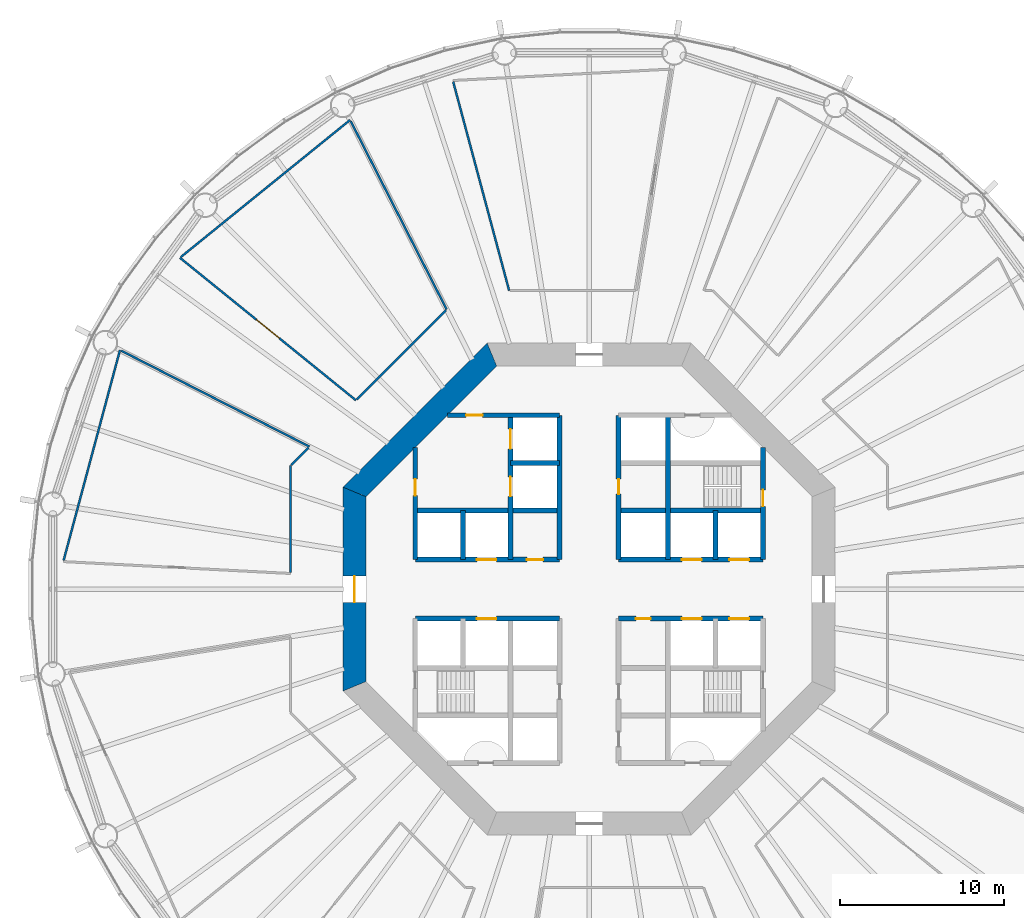
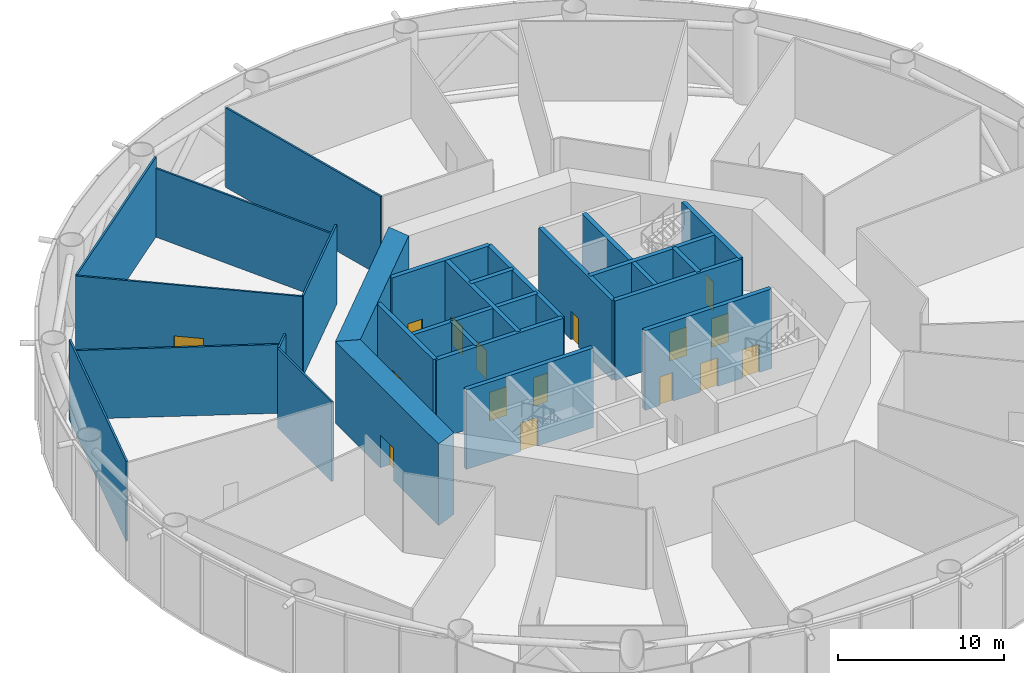
# One storey, part 5 of 14: 27 walls, 16 doors, 16 openings.
"""IFC4 building model written with IfcOpenShell, lengths in metres."""

import ifcopenshell
import ifcopenshell.guid

model = None  # the IFC model being written
_history = None  # IfcOwnerHistory: only IFC2X3 demands one
_inside = {}  # id of a spatial element -> (the spatial element, [elements in it])
_under = {}  # id of a project, library or spatial element -> (it, [spatial elements below it])
_declared = {}  # id of a project -> (the project, [libraries it declares])
_typed = {}  # id of a type object -> (the type object, [elements of that type])
_made_of = {}  # id of a material, layer set ... -> (it, [elements and type objects made of it])


def new_model(schema):
    """Start an empty IFC model of exactly this schema.

    Asked for "IFC4X3", IfcOpenShell would pick the latest addendum, in which some entities
    have other attributes; the version numbers below select the first issue.
    IFC2X3 requires an IfcOwnerHistory on every rooted entity: one is made here for all.
    """
    global model, _history
    if schema == "IFC4X3":
        model = ifcopenshell.file(schema_version=(4, 3, 0, 0))
    else:
        model = ifcopenshell.file(schema=schema)
    _inside.clear()
    _under.clear()
    _declared.clear()
    _typed.clear()
    _made_of.clear()
    _history = None
    if model.schema == "IFC2X3":
        org = make("IfcOrganization", Name="unknown")
        user = make(
            "IfcPersonAndOrganization",
            ThePerson=make("IfcPerson", FamilyName="unknown"),
            TheOrganization=org,
        )
        app = make(
            "IfcApplication",
            ApplicationDeveloper=org,
            Version="unknown",
            ApplicationFullName="unknown",
            ApplicationIdentifier="unknown",
        )
        _history = make(
            "IfcOwnerHistory",
            OwningUser=user,
            OwningApplication=app,
            ChangeAction="ADDED",
            CreationDate=0,
        )
    return model


def make(cls, **values):
    """One entity of the class cls with the attributes given. An attribute that is None is left unset."""
    return model.create_entity(
        cls, **{name: value for name, value in values.items() if value is not None}
    )


def rooted(cls, **values):
    """An entity with a GlobalId (a new one), such as an element, a storey or a relation."""
    return make(cls, GlobalId=ifcopenshell.guid.new(), OwnerHistory=_history, **values)


def si_unit(unit_type, name, prefix=None):
    """IfcSIUnit, for example si_unit("LENGTHUNIT", "METRE", prefix="MILLI")."""
    return make("IfcSIUnit", UnitType=unit_type, Prefix=prefix, Name=name)


def assignment(units):
    """IfcUnitAssignment: the units of a project."""
    return None if units is None else make("IfcUnitAssignment", Units=units)


def point(xyz):
    """IfcCartesianPoint."""
    return None if xyz is None else make("IfcCartesianPoint", Coordinates=xyz)


def direction(xyz):
    """IfcDirection."""
    return None if xyz is None else make("IfcDirection", DirectionRatios=xyz)


def frame(location, z_axis=None, x_axis=None):
    """IfcAxis2Placement3D, a coordinate frame: its origin and axes. An axis left out is left unset."""
    return make(
        "IfcAxis2Placement3D",
        Location=point(location),
        Axis=direction(z_axis),
        RefDirection=direction(x_axis),
    )


def frame_2d(location, x_axis=None):
    """IfcAxis2Placement2D, a coordinate frame in the plane: its origin and x axis."""
    return make(
        "IfcAxis2Placement2D", Location=point(location), RefDirection=direction(x_axis)
    )


def origin():
    """The frame at (0, 0, 0) with its axes left unset."""
    return frame((0.0, 0.0, 0.0))


def place(relative_to, where):
    """IfcLocalPlacement: puts the frame where relative to a parent placement (None: the world)."""
    return make(
        "IfcLocalPlacement", PlacementRelTo=relative_to, RelativePlacement=where
    )


def context(
    kind, dimensions, precision=None, world=None, true_north=None, identifier=None
):
    """IfcGeometricRepresentationContext, for example the 3D "Model" context."""
    return make(
        "IfcGeometricRepresentationContext",
        ContextIdentifier=identifier,
        ContextType=kind,
        CoordinateSpaceDimension=dimensions,
        Precision=precision,
        WorldCoordinateSystem=world,
        TrueNorth=true_north,
    )


def subcontext(parent, identifier, kind, view, scale=None):
    """IfcGeometricRepresentationSubContext, for example "Body" below "Model"."""
    return make(
        "IfcGeometricRepresentationSubContext",
        ContextIdentifier=identifier,
        ContextType=kind,
        ParentContext=parent,
        TargetScale=scale,
        TargetView=view,
    )


def project(units=None, contexts=None):
    """IfcProject with its units and contexts."""
    return rooted(
        "IfcProject",
        Name="project",
        RepresentationContexts=contexts,
        UnitsInContext=assignment(units),
    )


def spatial(cls, under=None, at=None, **own):
    """A site, building, storey or space (cls), placed at a placement, below another one or the project."""
    s = rooted(cls, ObjectPlacement=at, **own)
    if under is not None:
        _under.setdefault(under.id(), (under, []))[1].append(s)
    return s


def polyline(points):
    """IfcPolyline through the points."""
    return make("IfcPolyline", Points=[point(p) for p in points])


def profile(cls, at=None, kind="AREA", **sizes):
    """A parametric profile (cls). Its sizes go by their IFC names, for example OverallWidth=200.0."""
    return make(cls, ProfileType=kind, Position=at, **sizes)


def rectangle(**sizes):
    """IfcRectangleProfileDef."""
    return profile("IfcRectangleProfileDef", **sizes)


def outline(outer, holes=None, kind="AREA"):
    """IfcArbitraryClosedProfileDef: a profile drawn as a closed curve; with holes, ...WithVoids."""
    if holes is None:
        return make("IfcArbitraryClosedProfileDef", ProfileType=kind, OuterCurve=outer)
    return make(
        "IfcArbitraryProfileDefWithVoids",
        ProfileType=kind,
        OuterCurve=outer,
        InnerCurves=holes,
    )


def extrude(swept, where, along, depth):
    """IfcExtrudedAreaSolid: the profile swept, set in the frame where, extruded along a direction by depth."""
    return make(
        "IfcExtrudedAreaSolid",
        SweptArea=swept,
        Position=where,
        ExtrudedDirection=direction(along),
        Depth=depth,
    )


def shape(context_of_items, identifier, shape_type, items):
    """IfcShapeRepresentation: the items that make up one representation, for example the "Body"."""
    return make(
        "IfcShapeRepresentation",
        ContextOfItems=context_of_items,
        RepresentationIdentifier=identifier,
        RepresentationType=shape_type,
        Items=items,
    )


def material(Name=None, Category=None):
    """IfcMaterial."""
    return make("IfcMaterial", Name=Name, Category=Category)


def layer(
    of_material, thickness, ventilated=None, Name=None, Category=None, Priority=None
):
    """IfcMaterialLayer: one layer of a wall or slab, of a material (None: an air gap)."""
    return make(
        "IfcMaterialLayer",
        Material=of_material,
        LayerThickness=thickness,
        IsVentilated=ventilated,
        Name=Name,
        Category=Category,
        Priority=Priority,
    )


def layer_set(layers, Name=None):
    """IfcMaterialLayerSet."""
    return make("IfcMaterialLayerSet", MaterialLayers=layers, LayerSetName=Name)


def made_of(thing, what):
    """Note that an element or type object is made of a material, layer set ...; save() writes the relation."""
    if what is not None:
        _made_of.setdefault(what.id(), (what, []))[1].append(thing)
    return thing


def type_object(cls, material=None, **own):
    """A type object (cls), such as IfcWallType, which elements share."""
    return made_of(rooted(cls, **own), material)


def element(
    cls,
    number,
    at=None,
    inside=None,
    cuts=None,
    type_object=None,
    material=None,
    context=None,
    identifier="Body",
    shape_type=None,
    held_by="IfcProductDefinitionShape",
    body=None,
    shapes=None,
    **own,
):
    """One element of the class cls, such as IfcWall. Its Tag is "e" and its number.

    at: its placement. inside: the storey or other place that contains it. cuts: it is an
    opening in that element (IfcRelVoidsElement). A single representation is given by context,
    identifier, shape_type and body (its items); several are given by shapes. held_by: the class
    of the entity that holds the representations. save() writes the other relations.
    """
    e = rooted(cls, Tag="e%d" % number, ObjectPlacement=at, **own)
    if body is not None:
        shapes = [shape(context, identifier, shape_type, body)]
    if shapes is not None:
        e.Representation = make(held_by, Representations=shapes)
    if inside is not None:
        _inside.setdefault(inside.id(), (inside, []))[1].append(e)
    if cuts is not None:
        rooted(
            "IfcRelVoidsElement", RelatingBuildingElement=cuts, RelatedOpeningElement=e
        )
    if type_object is not None:
        _typed.setdefault(type_object.id(), (type_object, []))[1].append(e)
    return made_of(e, material)


def fill(opening, filler):
    """IfcRelFillsElement: the door or window that sits in an opening."""
    return rooted(
        "IfcRelFillsElement",
        RelatingOpeningElement=opening,
        RelatedBuildingElement=filler,
    )


def aggregate(whole, parts):
    """IfcRelAggregates: a whole, such as a stair, and the parts it consists of."""
    return rooted("IfcRelAggregates", RelatingObject=whole, RelatedObjects=parts)


def save(model, path):
    """Write the relations noted so far, then the file.

    IfcRelAggregates (storeys below a building ...), IfcRelContainedInSpatialStructure (elements
    in a storey), IfcRelDefinesByType, IfcRelAssociatesMaterial and IfcRelDeclares: one each for
    every whole, place, type object, material and project.
    """
    for whole, parts in _under.values():
        aggregate(whole, parts)
    for where, things in _inside.values():
        rooted(
            "IfcRelContainedInSpatialStructure",
            RelatedElements=things,
            RelatingStructure=where,
        )
    for kind, things in _typed.values():
        rooted("IfcRelDefinesByType", RelatedObjects=things, RelatingType=kind)
    for what, things in _made_of.values():
        rooted("IfcRelAssociatesMaterial", RelatedObjects=things, RelatingMaterial=what)
    for by, libraries in _declared.values():
        rooted("IfcRelDeclares", RelatingContext=by, RelatedDefinitions=libraries)
    model.write(path)


model = new_model("IFC4")

# Units and contexts
model_context = context("Model", 3, precision=1e-05, world=origin(), true_north=direction((0.0, 1.0)))
body_context = subcontext(model_context, "Body", "Model", "MODEL_VIEW")
ifc_project = project(units=[si_unit("LENGTHUNIT", "METRE"), si_unit("AREAUNIT", "SQUARE_METRE"), si_unit("VOLUMEUNIT", "CUBIC_METRE"), si_unit("PLANEANGLEUNIT", "RADIAN"), si_unit("MASSUNIT", "GRAM", prefix="KILO")], contexts=[model_context])

# Site, building, storey
site_placement = place(None, origin())
site = spatial("IfcSite", under=ifc_project, at=site_placement, CompositionType="ELEMENT")
building_placement = place(site_placement, origin())
building = spatial("IfcBuilding", under=site, at=building_placement, Name="Entoto Ring Tower", CompositionType="ELEMENT")
storey_placement = place(building_placement, frame((0.0, 0.0, 12.0)))
storey = spatial("IfcBuildingStorey", under=building, at=storey_placement, Name="L01", CompositionType="ELEMENT", Elevation=12.0)

# Wall, opening, door
ifc_material_1 = material(Name="Concrete C40/50", Category="concrete")
ifc_layer_1 = layer(ifc_material_1, 0.300048828125)
ifc_layer_set_1 = layer_set([ifc_layer_1], Name="Concrete C40/50")
wall_type_1 = type_object("IfcWallType", Name="Core enclosure wall 300 mm reinforced concrete", PredefinedType="SOLIDWALL", material=ifc_layer_set_1)
wall_1_placement = place(storey_placement, frame((100.60009765625, 81.800048828125, 0.0), z_axis=(0.0, 0.0, 1.0), x_axis=(0.0, 1.0, 0.0)))
wall_1 = element("IfcWall", 1, at=wall_1_placement, inside=storey, type_object=wall_type_1, Name="wall-L01-002", PredefinedType="SOLIDWALL", context=body_context, shape_type="SweptSolid", body=[
    extrude(rectangle(XDim=6.833251953125, YDim=0.300048828125, at=frame_2d((3.41650390625, 0.0))), origin(), (0.0, 0.0, 1.0), 5.85009765625),
])
opening_1_placement = place(wall_1_placement, frame((3.25, 0.0, 0.0)))
opening_1 = element("IfcOpeningElement", 2, at=opening_1_placement, cuts=wall_1, Name="Opening K-17", PredefinedType="OPENING", context=body_context, shape_type="SweptSolid", body=[
    extrude(rectangle(XDim=1.0, YDim=2.10009765625, at=frame_2d((0.5, 1.050048828125))), frame((0.0, 0.16015625, 0.0), z_axis=(0.0, -1.0, 0.0), x_axis=(1.0, 0.0, 0.0)), (0.0, 0.0, 1.0), 0.320068359375),
])
ifc_material_2 = material(Name="Steel door leaf, fire rated", Category="steel")
ifc_layer_2 = layer(ifc_material_2, 0.050048828125)
ifc_layer_set_2 = layer_set([ifc_layer_2], Name="Steel door leaf, fire rated")
door_type_1 = type_object("IfcDoorType", Name="Fire door FD60 1000 x 2100 single leaf", OperationType="NOTDEFINED", PredefinedType="DOOR", material=ifc_layer_set_2)
door_1_placement = place(opening_1_placement, origin())
door_1 = element("IfcDoor", 3, at=door_1_placement, inside=storey, type_object=door_type_1, Name="Door K-17", OperationType="SINGLE_SWING_LEFT", OverallHeight=2.10009765625, OverallWidth=1.0, PredefinedType="DOOR", context=body_context, shape_type="SweptSolid", body=[
    extrude(rectangle(XDim=1.0, YDim=2.10009765625, at=frame_2d((0.5, 1.050048828125))), frame((0.0, 0.02490234375, 0.0), z_axis=(0.0, -1.0, 0.0), x_axis=(1.0, 0.0, 0.0)), (0.0, 0.0, 1.0), 0.050048828125),
])
fill(opening_1, door_1)

# Walls
wall_2_placement = place(storey_placement, frame((97.699951171875, 81.800048828125, 0.0), z_axis=(0.0, 0.0, 1.0), x_axis=(0.0, 1.0, 0.0)))
element("IfcWall", 4, at=wall_2_placement, inside=storey, type_object=wall_type_1, Name="wall-L01-004", PredefinedType="SOLIDWALL", context=body_context, shape_type="SweptSolid", body=[
    extrude(rectangle(XDim=3.0, YDim=0.300048828125, at=frame_2d((1.5, 0.0))), origin(), (0.0, 0.0, 1.0), 5.85009765625),
])
wall_3_placement = place(storey_placement, frame((94.800048828125, 81.800048828125, 0.0), z_axis=(0.0, 0.0, 1.0), x_axis=(0.0, 1.0, 0.0)))
element("IfcWall", 5, at=wall_3_placement, inside=storey, type_object=wall_type_1, Name="wall-L01-006", PredefinedType="SOLIDWALL", context=body_context, shape_type="SweptSolid", body=[
    extrude(rectangle(XDim=8.800048828125, YDim=0.300048828125, at=frame_2d((4.39990234375, 0.0))), origin(), (0.0, 0.0, 1.0), 5.85009765625),
])

# Wall, opening, door
wall_4_placement = place(storey_placement, frame((91.800048828125, 81.800048828125, 0.0), z_axis=(0.0, 0.0, 1.0), x_axis=(0.0, 1.0, 0.0)))
wall_4 = element("IfcWall", 6, at=wall_4_placement, inside=storey, type_object=wall_type_1, Name="wall-L01-008", PredefinedType="SOLIDWALL", context=body_context, shape_type="SweptSolid", body=[
    extrude(rectangle(XDim=8.800048828125, YDim=0.300048828125, at=frame_2d((4.39990234375, 0.0))), origin(), (0.0, 0.0, 1.0), 5.85009765625),
])
opening_2_placement = place(wall_4_placement, frame((4.0, 0.0, 0.0)))
opening_2 = element("IfcOpeningElement", 7, at=opening_2_placement, cuts=wall_4, Name="Opening K-11", PredefinedType="OPENING", context=body_context, shape_type="SweptSolid", body=[
    extrude(rectangle(XDim=0.89990234375, YDim=2.10009765625, at=frame_2d((0.449951171875, 1.050048828125))), frame((0.0, 0.16015625, 0.0), z_axis=(0.0, -1.0, 0.0), x_axis=(1.0, 0.0, 0.0)), (0.0, 0.0, 1.0), 0.320068359375),
])
ifc_material_3 = material(Name="Steel door leaf, fire rated", Category="steel")
ifc_layer_3 = layer(ifc_material_3, 0.050048828125)
ifc_layer_set_3 = layer_set([ifc_layer_3], Name="Steel door leaf, fire rated")
door_type_2 = type_object("IfcDoorType", Name="Core door 900 x 2100 single leaf", OperationType="NOTDEFINED", PredefinedType="DOOR", material=ifc_layer_set_3)
door_2_placement = place(opening_2_placement, origin())
door_2 = element("IfcDoor", 8, at=door_2_placement, inside=storey, type_object=door_type_2, Name="Door K-11", OperationType="SINGLE_SWING_RIGHT", OverallHeight=2.10009765625, OverallWidth=0.89990234375, PredefinedType="DOOR", context=body_context, shape_type="SweptSolid", body=[
    extrude(rectangle(XDim=0.89990234375, YDim=2.10009765625, at=frame_2d((0.449951171875, 1.050048828125))), frame((0.0, 0.02490234375, 0.0), z_axis=(0.0, -1.0, 0.0), x_axis=(1.0, 0.0, 0.0)), (0.0, 0.0, 1.0), 0.050048828125),
])
fill(opening_2, door_2)

# Wall
wall_5_placement = place(storey_placement, frame((88.199951171875, 81.800048828125, 0.0), z_axis=(0.0, 0.0, 1.0), x_axis=(0.0, 1.0, 0.0)))
element("IfcWall", 9, at=wall_5_placement, inside=storey, type_object=wall_type_1, Name="wall-L01-010", PredefinedType="SOLIDWALL", context=body_context, shape_type="SweptSolid", body=[
    extrude(rectangle(XDim=8.800048828125, YDim=0.300048828125, at=frame_2d((4.39990234375, 0.0))), origin(), (0.0, 0.0, 1.0), 5.85009765625),
])

# Wall, openings, doors
wall_6_placement = place(storey_placement, frame((85.199951171875, 81.800048828125, 0.0), z_axis=(0.0, 0.0, 1.0), x_axis=(0.0, 1.0, 0.0)))
wall_6 = element("IfcWall", 10, at=wall_6_placement, inside=storey, type_object=wall_type_1, Name="wall-L01-012", PredefinedType="SOLIDWALL", context=body_context, shape_type="SweptSolid", body=[
    extrude(rectangle(XDim=8.800048828125, YDim=0.300048828125, at=frame_2d((4.39990234375, 0.0))), origin(), (0.0, 0.0, 1.0), 5.85009765625),
])
opening_3_placement = place(wall_6_placement, frame((3.85009765625, 0.0, 0.0)))
opening_3 = element("IfcOpeningElement", 11, at=opening_3_placement, cuts=wall_6, Name="Opening LD", PredefinedType="OPENING", context=body_context, shape_type="SweptSolid", body=[
    extrude(rectangle(XDim=1.199951171875, YDim=2.10009765625, at=frame_2d((0.60009765625, 1.050048828125))), frame((0.0, 0.16015625, 0.0), z_axis=(0.0, -1.0, 0.0), x_axis=(1.0, 0.0, 0.0)), (0.0, 0.0, 1.0), 0.320068359375),
])
opening_4_placement = place(wall_6_placement, frame((6.75, 0.0, 0.0)))
opening_4 = element("IfcOpeningElement", 12, at=opening_4_placement, cuts=wall_6, Name="Opening LD", PredefinedType="OPENING", context=body_context, shape_type="SweptSolid", body=[
    extrude(rectangle(XDim=1.199951171875, YDim=2.10009765625, at=frame_2d((0.60009765625, 1.050048828125))), frame((0.0, 0.16015625, 0.0), z_axis=(0.0, -1.0, 0.0), x_axis=(1.0, 0.0, 0.0)), (0.0, 0.0, 1.0), 0.320068359375),
])
ifc_material_4 = material(Name="Steel and glass door leaf", Category="steel")
ifc_layer_4 = layer(ifc_material_4, 0.050048828125)
ifc_layer_set_4 = layer_set([ifc_layer_4], Name="Steel and glass door leaf")
door_type_3 = type_object("IfcDoorType", Name="Landing door 1200 x 2100 sliding", OperationType="DOUBLE_DOOR_SLIDING", PredefinedType="DOOR", material=ifc_layer_set_4)
door_3_placement = place(opening_3_placement, origin())
door_3 = element("IfcDoor", 13, at=door_3_placement, inside=storey, type_object=door_type_3, Name="Landing door FF1", OperationType="SLIDING_TO_RIGHT", OverallHeight=2.10009765625, OverallWidth=1.199951171875, PredefinedType="DOOR", context=body_context, shape_type="SweptSolid", body=[
    extrude(rectangle(XDim=1.199951171875, YDim=2.10009765625, at=frame_2d((0.60009765625, 1.050048828125))), frame((0.0, 0.02490234375, 0.0), z_axis=(0.0, -1.0, 0.0), x_axis=(1.0, 0.0, 0.0)), (0.0, 0.0, 1.0), 0.050048828125),
])
fill(opening_3, door_3)
door_4_placement = place(opening_4_placement, origin())
door_4 = element("IfcDoor", 14, at=door_4_placement, inside=storey, type_object=door_type_3, Name="Landing door FF2", OperationType="SLIDING_TO_RIGHT", OverallHeight=2.10009765625, OverallWidth=1.199951171875, PredefinedType="DOOR", context=body_context, shape_type="SweptSolid", body=[
    extrude(rectangle(XDim=1.199951171875, YDim=2.10009765625, at=frame_2d((0.60009765625, 1.050048828125))), frame((0.0, 0.02490234375, 0.0), z_axis=(0.0, -1.0, 0.0), x_axis=(1.0, 0.0, 0.0)), (0.0, 0.0, 1.0), 0.050048828125),
])
fill(opening_4, door_4)

# Wall
wall_7_placement = place(storey_placement, frame((82.300048828125, 81.800048828125, 0.0), z_axis=(0.0, 0.0, 1.0), x_axis=(0.0, 1.0, 0.0)))
element("IfcWall", 15, at=wall_7_placement, inside=storey, type_object=wall_type_1, Name="wall-L01-014", PredefinedType="SOLIDWALL", context=body_context, shape_type="SweptSolid", body=[
    extrude(rectangle(XDim=3.0, YDim=0.300048828125, at=frame_2d((1.5, 0.0))), origin(), (0.0, 0.0, 1.0), 5.85009765625),
])

# Wall, opening, door
wall_8_placement = place(storey_placement, frame((79.39990234375, 81.800048828125, 0.0), z_axis=(0.0, 0.0, 1.0), x_axis=(0.0, 1.0, 0.0)))
wall_8 = element("IfcWall", 16, at=wall_8_placement, inside=storey, type_object=wall_type_1, Name="wall-L01-016", PredefinedType="SOLIDWALL", context=body_context, shape_type="SweptSolid", body=[
    extrude(rectangle(XDim=6.833251953125, YDim=0.300048828125, at=frame_2d((3.41650390625, 0.0))), origin(), (0.0, 0.0, 1.0), 5.85009765625),
])
opening_5_placement = place(wall_8_placement, frame((3.89990234375, 0.0, 0.0)))
opening_5 = element("IfcOpeningElement", 17, at=opening_5_placement, cuts=wall_8, Name="Opening K-23", PredefinedType="OPENING", context=body_context, shape_type="SweptSolid", body=[
    extrude(rectangle(XDim=1.0, YDim=2.10009765625, at=frame_2d((0.5, 1.050048828125))), frame((0.0, 0.16015625, 0.0), z_axis=(0.0, -1.0, 0.0), x_axis=(1.0, 0.0, 0.0)), (0.0, 0.0, 1.0), 0.320068359375),
])
door_5_placement = place(opening_5_placement, frame((1.0, 0.0, 0.0), z_axis=(0.0, 0.0, 1.0), x_axis=(-1.0, 0.0, 0.0)))
door_5 = element("IfcDoor", 18, at=door_5_placement, inside=storey, type_object=door_type_1, Name="Door K-23", OperationType="SINGLE_SWING_LEFT", OverallHeight=2.10009765625, OverallWidth=1.0, PredefinedType="DOOR", context=body_context, shape_type="SweptSolid", body=[
    extrude(rectangle(XDim=1.0, YDim=2.10009765625, at=frame_2d((0.5, 1.050048828125))), frame((0.0, 0.02490234375, 0.0), z_axis=(0.0, -1.0, 0.0), x_axis=(1.0, 0.0, 0.0)), (0.0, 0.0, 1.0), 0.050048828125),
])
fill(opening_5, door_5)

wall_9_placement = place(storey_placement, frame((79.39990234375, 78.199951171875, 0.0), z_axis=(0.0, 0.0, 1.0), x_axis=(1.0, 0.0, 0.0)))
wall_9 = element("IfcWall", 19, at=wall_9_placement, inside=storey, type_object=wall_type_1, Name="wall-L01-023", PredefinedType="SOLIDWALL", context=body_context, shape_type="SweptSolid", body=[
    extrude(rectangle(XDim=8.800048828125, YDim=0.300048828125, at=frame_2d((4.39990234375, 0.0))), origin(), (0.0, 0.0, 1.0), 5.85009765625),
])
opening_6_placement = place(wall_9_placement, frame((3.75, 0.0, 0.0)))
opening_6 = element("IfcOpeningElement", 20, at=opening_6_placement, cuts=wall_9, Name="Opening LD", PredefinedType="OPENING", context=body_context, shape_type="SweptSolid", body=[
    extrude(rectangle(XDim=1.199951171875, YDim=2.10009765625, at=frame_2d((0.60009765625, 1.050048828125))), frame((0.0, 0.16015625, 0.0), z_axis=(0.0, -1.0, 0.0), x_axis=(1.0, 0.0, 0.0)), (0.0, 0.0, 1.0), 0.320068359375),
])
door_6_placement = place(opening_6_placement, origin())
door_6 = element("IfcDoor", 21, at=door_6_placement, inside=storey, type_object=door_type_3, Name="Landing door LB6-LR", OperationType="SLIDING_TO_RIGHT", OverallHeight=2.10009765625, OverallWidth=1.199951171875, PredefinedType="DOOR", context=body_context, shape_type="SweptSolid", body=[
    extrude(rectangle(XDim=1.199951171875, YDim=2.10009765625, at=frame_2d((0.60009765625, 1.050048828125))), frame((0.0, 0.02490234375, 0.0), z_axis=(0.0, -1.0, 0.0), x_axis=(1.0, 0.0, 0.0)), (0.0, 0.0, 1.0), 0.050048828125),
])
fill(opening_6, door_6)

# Wall, openings, doors
wall_10_placement = place(storey_placement, frame((91.800048828125, 78.199951171875, 0.0), z_axis=(0.0, 0.0, 1.0), x_axis=(1.0, 0.0, 0.0)))
wall_10 = element("IfcWall", 22, at=wall_10_placement, inside=storey, type_object=wall_type_1, Name="wall-L01-024", PredefinedType="SOLIDWALL", context=body_context, shape_type="SweptSolid", body=[
    extrude(rectangle(XDim=8.800048828125, YDim=0.300048828125, at=frame_2d((4.39990234375, 0.0))), origin(), (0.0, 0.0, 1.0), 5.85009765625),
])
opening_7_placement = place(wall_10_placement, frame((3.85009765625, 0.0, 0.0)))
opening_7 = element("IfcOpeningElement", 23, at=opening_7_placement, cuts=wall_10, Name="Opening LD", PredefinedType="OPENING", context=body_context, shape_type="SweptSolid", body=[
    extrude(rectangle(XDim=1.199951171875, YDim=2.10009765625, at=frame_2d((0.60009765625, 1.050048828125))), frame((0.0, 0.16015625, 0.0), z_axis=(0.0, -1.0, 0.0), x_axis=(1.0, 0.0, 0.0)), (0.0, 0.0, 1.0), 0.320068359375),
])
opening_8_placement = place(wall_10_placement, frame((6.75, 0.0, 0.0)))
opening_8 = element("IfcOpeningElement", 24, at=opening_8_placement, cuts=wall_10, Name="Opening LD", PredefinedType="OPENING", context=body_context, shape_type="SweptSolid", body=[
    extrude(rectangle(XDim=1.199951171875, YDim=2.10009765625, at=frame_2d((0.60009765625, 1.050048828125))), frame((0.0, 0.16015625, 0.0), z_axis=(0.0, -1.0, 0.0), x_axis=(1.0, 0.0, 0.0)), (0.0, 0.0, 1.0), 0.320068359375),
])
opening_9_placement = place(wall_10_placement, frame((1.050048828125, 0.0, 0.0)))
opening_9 = element("IfcOpeningElement", 25, at=opening_9_placement, cuts=wall_10, Name="Opening K-16", PredefinedType="OPENING", context=body_context, shape_type="SweptSolid", body=[
    extrude(rectangle(XDim=0.89990234375, YDim=2.10009765625, at=frame_2d((0.449951171875, 1.050048828125))), frame((0.0, 0.16015625, 0.0), z_axis=(0.0, -1.0, 0.0), x_axis=(1.0, 0.0, 0.0)), (0.0, 0.0, 1.0), 0.320068359375),
])
door_7_placement = place(opening_9_placement, frame((0.89990234375, 0.0, 0.0), z_axis=(0.0, 0.0, 1.0), x_axis=(-1.0, 0.0, 0.0)))
door_7 = element("IfcDoor", 26, at=door_7_placement, inside=storey, type_object=door_type_2, Name="Door K-16", OperationType="SINGLE_SWING_RIGHT", OverallHeight=2.10009765625, OverallWidth=0.89990234375, PredefinedType="DOOR", context=body_context, shape_type="SweptSolid", body=[
    extrude(rectangle(XDim=0.89990234375, YDim=2.10009765625, at=frame_2d((0.449951171875, 1.050048828125))), frame((0.0, 0.02490234375, 0.0), z_axis=(0.0, -1.0, 0.0), x_axis=(1.0, 0.0, 0.0)), (0.0, 0.0, 1.0), 0.050048828125),
])
fill(opening_9, door_7)
door_8_placement = place(opening_7_placement, origin())
door_8 = element("IfcDoor", 27, at=door_8_placement, inside=storey, type_object=door_type_3, Name="Landing door LB4-LR", OperationType="SLIDING_TO_RIGHT", OverallHeight=2.10009765625, OverallWidth=1.199951171875, PredefinedType="DOOR", context=body_context, shape_type="SweptSolid", body=[
    extrude(rectangle(XDim=1.199951171875, YDim=2.10009765625, at=frame_2d((0.60009765625, 1.050048828125))), frame((0.0, 0.02490234375, 0.0), z_axis=(0.0, -1.0, 0.0), x_axis=(1.0, 0.0, 0.0)), (0.0, 0.0, 1.0), 0.050048828125),
])
fill(opening_7, door_8)
door_9_placement = place(opening_8_placement, origin())
door_9 = element("IfcDoor", 28, at=door_9_placement, inside=storey, type_object=door_type_3, Name="Landing door LB5-LR", OperationType="SLIDING_TO_RIGHT", OverallHeight=2.10009765625, OverallWidth=1.199951171875, PredefinedType="DOOR", context=body_context, shape_type="SweptSolid", body=[
    extrude(rectangle(XDim=1.199951171875, YDim=2.10009765625, at=frame_2d((0.60009765625, 1.050048828125))), frame((0.0, 0.02490234375, 0.0), z_axis=(0.0, -1.0, 0.0), x_axis=(1.0, 0.0, 0.0)), (0.0, 0.0, 1.0), 0.050048828125),
])
fill(opening_8, door_9)

wall_11_placement = place(storey_placement, frame((79.39990234375, 81.800048828125, 0.0), z_axis=(0.0, 0.0, 1.0), x_axis=(1.0, 0.0, 0.0)))
wall_11 = element("IfcWall", 29, at=wall_11_placement, inside=storey, type_object=wall_type_1, Name="wall-L01-025", PredefinedType="SOLIDWALL", context=body_context, shape_type="SweptSolid", body=[
    extrude(rectangle(XDim=8.800048828125, YDim=0.300048828125, at=frame_2d((4.39990234375, 0.0))), origin(), (0.0, 0.0, 1.0), 5.85009765625),
])
opening_10_placement = place(wall_11_placement, frame((3.75, 0.0, 0.0)))
opening_10 = element("IfcOpeningElement", 30, at=opening_10_placement, cuts=wall_11, Name="Opening LD", PredefinedType="OPENING", context=body_context, shape_type="SweptSolid", body=[
    extrude(rectangle(XDim=1.199951171875, YDim=2.10009765625, at=frame_2d((0.60009765625, 1.050048828125))), frame((0.0, 0.16015625, 0.0), z_axis=(0.0, -1.0, 0.0), x_axis=(1.0, 0.0, 0.0)), (0.0, 0.0, 1.0), 0.320068359375),
])
opening_11_placement = place(wall_11_placement, frame((6.800048828125, 0.0, 0.0)))
opening_11 = element("IfcOpeningElement", 31, at=opening_11_placement, cuts=wall_11, Name="Opening K-54", PredefinedType="OPENING", context=body_context, shape_type="SweptSolid", body=[
    extrude(rectangle(XDim=1.0, YDim=2.10009765625, at=frame_2d((0.5, 1.050048828125))), frame((0.0, 0.16015625, 0.0), z_axis=(0.0, -1.0, 0.0), x_axis=(1.0, 0.0, 0.0)), (0.0, 0.0, 1.0), 0.320068359375),
])
ifc_material_5 = material(Name="Steel door leaf, fire rated", Category="steel")
ifc_layer_5 = layer(ifc_material_5, 0.050048828125)
ifc_layer_set_5 = layer_set([ifc_layer_5], Name="Steel door leaf, fire rated")
door_type_4 = type_object("IfcDoorType", Name="Accessible door 1000 x 2100 single leaf", OperationType="NOTDEFINED", PredefinedType="DOOR", material=ifc_layer_set_5)
door_10_placement = place(opening_11_placement, frame((1.0, 0.0, 0.0), z_axis=(0.0, 0.0, 1.0), x_axis=(-1.0, 0.0, 0.0)))
door_10 = element("IfcDoor", 32, at=door_10_placement, inside=storey, type_object=door_type_4, Name="Door K-54", OperationType="SINGLE_SWING_RIGHT", OverallHeight=2.10009765625, OverallWidth=1.0, PredefinedType="DOOR", context=body_context, shape_type="SweptSolid", body=[
    extrude(rectangle(XDim=1.0, YDim=2.10009765625, at=frame_2d((0.5, 1.050048828125))), frame((0.0, 0.02490234375, 0.0), z_axis=(0.0, -1.0, 0.0), x_axis=(1.0, 0.0, 0.0)), (0.0, 0.0, 1.0), 0.050048828125),
])
fill(opening_11, door_10)
door_11_placement = place(opening_10_placement, origin())
door_11 = element("IfcDoor", 33, at=door_11_placement, inside=storey, type_object=door_type_3, Name="Landing door LB3-LR", OperationType="SLIDING_TO_RIGHT", OverallHeight=2.10009765625, OverallWidth=1.199951171875, PredefinedType="DOOR", context=body_context, shape_type="SweptSolid", body=[
    extrude(rectangle(XDim=1.199951171875, YDim=2.10009765625, at=frame_2d((0.60009765625, 1.050048828125))), frame((0.0, 0.02490234375, 0.0), z_axis=(0.0, -1.0, 0.0), x_axis=(1.0, 0.0, 0.0)), (0.0, 0.0, 1.0), 0.050048828125),
])
fill(opening_10, door_11)

wall_12_placement = place(storey_placement, frame((91.800048828125, 81.800048828125, 0.0), z_axis=(0.0, 0.0, 1.0), x_axis=(1.0, 0.0, 0.0)))
wall_12 = element("IfcWall", 34, at=wall_12_placement, inside=storey, type_object=wall_type_1, Name="wall-L01-026", PredefinedType="SOLIDWALL", context=body_context, shape_type="SweptSolid", body=[
    extrude(rectangle(XDim=8.800048828125, YDim=0.300048828125, at=frame_2d((4.39990234375, 0.0))), origin(), (0.0, 0.0, 1.0), 5.85009765625),
])
opening_12_placement = place(wall_12_placement, frame((3.85009765625, 0.0, 0.0)))
opening_12 = element("IfcOpeningElement", 35, at=opening_12_placement, cuts=wall_12, Name="Opening LD", PredefinedType="OPENING", context=body_context, shape_type="SweptSolid", body=[
    extrude(rectangle(XDim=1.199951171875, YDim=2.10009765625, at=frame_2d((0.60009765625, 1.050048828125))), frame((0.0, 0.16015625, 0.0), z_axis=(0.0, -1.0, 0.0), x_axis=(1.0, 0.0, 0.0)), (0.0, 0.0, 1.0), 0.320068359375),
])
opening_13_placement = place(wall_12_placement, frame((6.75, 0.0, 0.0)))
opening_13 = element("IfcOpeningElement", 36, at=opening_13_placement, cuts=wall_12, Name="Opening LD", PredefinedType="OPENING", context=body_context, shape_type="SweptSolid", body=[
    extrude(rectangle(XDim=1.199951171875, YDim=2.10009765625, at=frame_2d((0.60009765625, 1.050048828125))), frame((0.0, 0.16015625, 0.0), z_axis=(0.0, -1.0, 0.0), x_axis=(1.0, 0.0, 0.0)), (0.0, 0.0, 1.0), 0.320068359375),
])
door_12_placement = place(opening_12_placement, origin())
door_12 = element("IfcDoor", 37, at=door_12_placement, inside=storey, type_object=door_type_3, Name="Landing door LB1-LR", OperationType="SLIDING_TO_RIGHT", OverallHeight=2.10009765625, OverallWidth=1.199951171875, PredefinedType="DOOR", context=body_context, shape_type="SweptSolid", body=[
    extrude(rectangle(XDim=1.199951171875, YDim=2.10009765625, at=frame_2d((0.60009765625, 1.050048828125))), frame((0.0, 0.02490234375, 0.0), z_axis=(0.0, -1.0, 0.0), x_axis=(1.0, 0.0, 0.0)), (0.0, 0.0, 1.0), 0.050048828125),
])
fill(opening_12, door_12)
door_13_placement = place(opening_13_placement, origin())
door_13 = element("IfcDoor", 38, at=door_13_placement, inside=storey, type_object=door_type_3, Name="Landing door LB2-LR", OperationType="SLIDING_TO_RIGHT", OverallHeight=2.10009765625, OverallWidth=1.199951171875, PredefinedType="DOOR", context=body_context, shape_type="SweptSolid", body=[
    extrude(rectangle(XDim=1.199951171875, YDim=2.10009765625, at=frame_2d((0.60009765625, 1.050048828125))), frame((0.0, 0.02490234375, 0.0), z_axis=(0.0, -1.0, 0.0), x_axis=(1.0, 0.0, 0.0)), (0.0, 0.0, 1.0), 0.050048828125),
])
fill(opening_13, door_13)

# Walls
for number, where, z_axis, x_axis, name in (
    (39, (79.39990234375, 84.800048828125, 0.0), (0.0, 0.0, 1.0), (1.0, 0.0, 0.0), "wall-L01-027"),
    (40, (91.800048828125, 84.800048828125, 0.0), (0.0, 0.0, 1.0), (1.0, 0.0, 0.0), "wall-L01-028"),
):
    element("IfcWall", number, at=place(storey_placement, frame(where, z_axis=z_axis, x_axis=x_axis)), inside=storey, type_object=wall_type_1, Name=name, PredefinedType="SOLIDWALL", context=body_context, shape_type="SweptSolid", body=[
        extrude(rectangle(XDim=8.800048828125, YDim=0.300048828125, at=frame_2d((4.39990234375, 0.0))), origin(), (0.0, 0.0, 1.0), 5.85009765625),
    ])
wall_13_placement = place(storey_placement, frame((85.199951171875, 87.699951171875, 0.0), z_axis=(0.0, 0.0, 1.0), x_axis=(1.0, 0.0, 0.0)))
element("IfcWall", 41, at=wall_13_placement, inside=storey, type_object=wall_type_1, Name="wall-L01-029", PredefinedType="SOLIDWALL", context=body_context, shape_type="SweptSolid", body=[
    extrude(rectangle(XDim=3.0, YDim=0.300048828125, at=frame_2d((1.5, 0.0))), origin(), (0.0, 0.0, 1.0), 5.85009765625),
])

# Wall, opening, door
wall_14_placement = place(storey_placement, frame((81.36669921875, 90.60009765625, 0.0), z_axis=(0.0, 0.0, 1.0), x_axis=(1.0, 0.0, 0.0)))
wall_14 = element("IfcWall", 42, at=wall_14_placement, inside=storey, type_object=wall_type_1, Name="wall-L01-031", PredefinedType="SOLIDWALL", context=body_context, shape_type="SweptSolid", body=[
    extrude(rectangle(XDim=6.833251953125, YDim=0.300048828125, at=frame_2d((3.41650390625, 0.0))), origin(), (0.0, 0.0, 1.0), 5.85009765625),
])
opening_14_placement = place(wall_14_placement, frame((1.13330078125, 0.0, 0.0)))
opening_14 = element("IfcOpeningElement", 43, at=opening_14_placement, cuts=wall_14, Name="Opening K-73", PredefinedType="OPENING", context=body_context, shape_type="SweptSolid", body=[
    extrude(rectangle(XDim=1.0, YDim=2.10009765625, at=frame_2d((0.5, 1.050048828125))), frame((0.0, 0.16015625, 0.0), z_axis=(0.0, -1.0, 0.0), x_axis=(1.0, 0.0, 0.0)), (0.0, 0.0, 1.0), 0.320068359375),
])
door_14_placement = place(opening_14_placement, frame((1.0, 0.0, 0.0), z_axis=(0.0, 0.0, 1.0), x_axis=(-1.0, 0.0, 0.0)))
door_14 = element("IfcDoor", 44, at=door_14_placement, inside=storey, type_object=door_type_1, Name="Door K-73", OperationType="SINGLE_SWING_RIGHT", OverallHeight=2.10009765625, OverallWidth=1.0, PredefinedType="DOOR", context=body_context, shape_type="SweptSolid", body=[
    extrude(rectangle(XDim=1.0, YDim=2.10009765625, at=frame_2d((0.5, 1.050048828125))), frame((0.0, 0.02490234375, 0.0), z_axis=(0.0, -1.0, 0.0), x_axis=(1.0, 0.0, 0.0)), (0.0, 0.0, 1.0), 0.050048828125),
])
fill(opening_14, door_14)

# Wall
ifc_material_6 = material(Name="Concrete C60/75", Category="concrete")
ifc_layer_6 = layer(ifc_material_6, 1.39990234375)
ifc_layer_set_6 = layer_set([ifc_layer_6], Name="Concrete C60/75")
wall_type_2 = type_object("IfcWallType", Name="Core shear wall 1400 mm reinforced concrete C60/75", PredefinedType="SHEAR", material=ifc_layer_set_6)
wall_15_placement = place(storey_placement, frame((84.07666015625, 94.300048828125, 0.0), z_axis=(0.0, 0.0, 1.0), x_axis=(-0.707106781187, -0.707106781187, 0.0)))
element("IfcWall", 45, at=wall_15_placement, inside=storey, type_object=wall_type_2, Name="wall-L01-core-3", PredefinedType="SHEAR", context=body_context, shape_type="SweptSolid", body=[
    extrude(outline(polyline([(-0.2900390625, -0.699951171875), (12.136474609375, -0.699951171875), (11.556396484375, 0.699951171875), (0.2900390625, 0.699951171875), (-0.2900390625, -0.699951171875)])), origin(), (0.0, 0.0, 1.0), 6.0),
])

# Wall, opening, door
wall_16_placement = place(storey_placement, frame((75.699951171875, 85.92333984375, 0.0), z_axis=(0.0, 0.0, 1.0), x_axis=(0.0, -1.0, 0.0)))
wall_16 = element("IfcWall", 46, at=wall_16_placement, inside=storey, type_object=wall_type_2, Name="wall-L01-core-4", PredefinedType="SHEAR", context=body_context, shape_type="SweptSolid", body=[
    extrude(outline(polyline([(-0.2900390625, -0.699951171875), (12.13671875, -0.699951171875), (11.556640625, 0.699951171875), (0.2900390625, 0.699951171875), (-0.2900390625, -0.699951171875)])), origin(), (0.0, 0.0, 1.0), 6.0),
])
opening_15_placement = place(wall_16_placement, frame((5.123291015625, 0.0, 0.0)))
opening_15 = element("IfcOpeningElement", 47, at=opening_15_placement, cuts=wall_16, Name="Opening K-03", PredefinedType="OPENING", context=body_context, shape_type="SweptSolid", body=[
    extrude(rectangle(XDim=1.60009765625, YDim=2.39990234375, at=frame_2d((0.800048828125, 1.199951171875))), frame((0.0, 0.7099609375, 0.0), z_axis=(0.0, -1.0, 0.0), x_axis=(1.0, 0.0, 0.0)), (0.0, 0.0, 1.0), 1.419921875),
])
ifc_material_7 = material(Name="Steel door leaf, fire rated", Category="steel")
ifc_layer_7 = layer(ifc_material_7, 0.050048828125)
ifc_layer_set_7 = layer_set([ifc_layer_7], Name="Steel door leaf, fire rated")
door_type_5 = type_object("IfcDoorType", Name="Entrance door FD60 1600 x 2400 double leaf", OperationType="DOUBLE_DOOR_SINGLE_SWING", PredefinedType="DOOR", material=ifc_layer_set_7)
door_15_placement = place(opening_15_placement, origin())
door_15 = element("IfcDoor", 48, at=door_15_placement, inside=storey, type_object=door_type_5, Name="Entrance door K-03", OperationType="DOUBLE_DOOR_SINGLE_SWING", OverallHeight=2.39990234375, OverallWidth=1.60009765625, PredefinedType="DOOR", context=body_context, shape_type="SweptSolid", body=[
    extrude(rectangle(XDim=1.60009765625, YDim=2.39990234375, at=frame_2d((0.800048828125, 1.199951171875))), frame((0.0, 0.02490234375, 0.0), z_axis=(0.0, -1.0, 0.0), x_axis=(1.0, 0.0, 0.0)), (0.0, 0.0, 1.0), 0.050048828125),
])
fill(opening_15, door_15)

ifc_material_8 = material(Name="Fire-resisting plasterboard on steel studs", Category="steel")
ifc_layer_8 = layer(ifc_material_8, 0.125)
ifc_layer_set_8 = layer_set([ifc_layer_8], Name="Fire-resisting plasterboard on steel studs")
wall_type_3 = type_object("IfcWallType", Name="Corridor wall 125 mm one-hour plasterboard on steel studs", PredefinedType="PARTITIONING", material=ifc_layer_set_8)
wall_17_placement = place(storey_placement, frame((75.778076171875, 91.5166015625, 0.0), z_axis=(0.0, 0.0, 1.0), x_axis=(-0.777140624783, 0.629326981236, 0.0)))
wall_17 = element("IfcWall", 49, at=wall_17_placement, inside=storey, type_object=wall_type_3, Name="partition-L01-008", PredefinedType="PARTITIONING", context=body_context, shape_type="SweptSolid", body=[
    extrude(rectangle(XDim=13.7998046875, YDim=0.125, at=frame_2d((6.89990234375, 0.0))), origin(), (0.0, 0.0, 1.0), 5.85009765625),
])
opening_16_placement = place(wall_17_placement, frame((6.0, 0.0, 0.0)))
opening_16 = element("IfcOpeningElement", 50, at=opening_16_placement, cuts=wall_17, Name="Opening A01-D04", PredefinedType="OPENING", context=body_context, shape_type="SweptSolid", body=[
    extrude(rectangle(XDim=1.800048828125, YDim=2.10009765625, at=frame_2d((0.89990234375, 1.050048828125))), frame((0.0, 0.072509765625, 0.0), z_axis=(0.0, -1.0, 0.0), x_axis=(1.0, 0.0, 0.0)), (0.0, 0.0, 1.0), 0.14501953125),
])
ifc_material_9 = material(Name="Fire-resisting timber door set", Category="wood")
door_type_6 = type_object("IfcDoorType", Name="Door 1800 x 2100 double leaf FD30S fire door", OperationType="DOUBLE_DOOR_SINGLE_SWING", PredefinedType="DOOR", material=ifc_material_9)
door_16_placement = place(opening_16_placement, frame((1.800048828125, 0.0, 0.0), z_axis=(0.0, 0.0, 1.0), x_axis=(-1.0, 0.0, 0.0)))
door_16 = element("IfcDoor", 51, at=door_16_placement, inside=storey, type_object=door_type_6, Name="Door A01-D04", OperationType="DOUBLE_DOOR_SINGLE_SWING", OverallHeight=2.10009765625, OverallWidth=1.800048828125, PredefinedType="DOOR", context=body_context, shape_type="SweptSolid", body=[
    extrude(rectangle(XDim=1.800048828125, YDim=2.10009765625, at=frame_2d((0.89990234375, 1.050048828125))), frame((0.0, 0.02490234375, 0.0), z_axis=(0.0, -1.0, 0.0), x_axis=(1.0, 0.0, 0.0)), (0.0, 0.0, 1.0), 0.050048828125),
])
fill(opening_16, door_16)

# Walls
wall_18_placement = place(storey_placement, frame((57.9638671875, 81.75439453125, 0.0), z_axis=(0.0, 0.0, 1.0), x_axis=(0.258824669056, 0.965924319338, 0.0)))
element("IfcWall", 52, at=wall_18_placement, inside=storey, type_object=wall_type_3, Name="partition-L01-017", PredefinedType="PARTITIONING", context=body_context, shape_type="SweptSolid", body=[
    extrude(rectangle(XDim=13.270751953125, YDim=0.125, at=frame_2d((6.63525390625, 0.0))), origin(), (0.0, 0.0, 1.0), 5.85009765625),
])
wall_19_placement = place(storey_placement, frame((65.113525390625, 100.249755859375, 0.0), z_axis=(0.0, 0.0, 1.0), x_axis=(0.777150610351, 0.629314650101, 0.0)))
element("IfcWall", 53, at=wall_19_placement, inside=storey, type_object=wall_type_3, Name="partition-L01-019", PredefinedType="PARTITIONING", context=body_context, shape_type="SweptSolid", body=[
    extrude(rectangle(XDim=13.27099609375, YDim=0.125, at=frame_2d((6.635498046875, 0.0))), origin(), (0.0, 0.0, 1.0), 5.85009765625),
])
wall_20_placement = place(storey_placement, frame((85.123291015625, 98.199951171875, 0.0), z_axis=(0.0, 0.0, 1.0), x_axis=(-0.258809533678, 0.965928374817, 0.0)))
element("IfcWall", 54, at=wall_20_placement, inside=storey, type_object=wall_type_3, Name="partition-L01-020", PredefinedType="PARTITIONING", context=body_context, shape_type="SweptSolid", body=[
    extrude(rectangle(XDim=13.18115234375, YDim=0.125, at=frame_2d((6.590576171875, 0.0))), origin(), (0.0, 0.0, 1.0), 5.85009765625),
])
wall_21_placement = place(storey_placement, frame((75.822021484375, 91.560546875, 0.0), z_axis=(0.0, 0.0, 1.0), x_axis=(0.707106781187, 0.707106781187, 0.0)))
element("IfcWall", 55, at=wall_21_placement, inside=storey, type_object=wall_type_3, Name="partition-L01-033", PredefinedType="PARTITIONING", context=body_context, shape_type="SweptSolid", body=[
    extrude(rectangle(XDim=7.705078125, YDim=0.125, at=frame_2d((3.8525390625, 0.0))), origin(), (0.0, 0.0, 1.0), 5.85009765625),
])
wall_22_placement = place(storey_placement, frame((71.800048828125, 81.019775390625, 0.0), z_axis=(0.0, 0.0, 1.0), x_axis=(0.0, 1.0, 0.0)))
element("IfcWall", 56, at=wall_22_placement, inside=storey, type_object=wall_type_3, Name="partition-L01-035", PredefinedType="PARTITIONING", context=body_context, shape_type="SweptSolid", body=[
    extrude(rectangle(XDim=6.51904296875, YDim=0.125, at=frame_2d((3.259521484375, 0.0))), origin(), (0.0, 0.0, 1.0), 5.85009765625),
])
wall_23_placement = place(storey_placement, frame((71.8310546875, 87.56982421875, 0.0), z_axis=(0.0, 0.0, 1.0), x_axis=(0.707106781187, 0.707106781187, 0.0)))
element("IfcWall", 57, at=wall_23_placement, inside=storey, type_object=wall_type_3, Name="partition-L01-043", PredefinedType="PARTITIONING", context=body_context, shape_type="SweptSolid", body=[
    extrude(rectangle(XDim=1.495361328125, YDim=0.125, at=frame_2d((0.74755859375, 0.0))), origin(), (0.0, 0.0, 1.0), 5.85009765625),
])
ifc_material_10 = material(Name="Fire-resisting plasterboard on steel studs", Category="steel")
ifc_layer_9 = layer(ifc_material_10, 0.125)
ifc_layer_set_9 = layer_set([ifc_layer_9], Name="Fire-resisting plasterboard on steel studs")
wall_type_4 = type_object("IfcWallType", Name="Corridor wall 125 mm one-hour plasterboard on steel studs, 5050 mm high", PredefinedType="PARTITIONING", material=ifc_layer_set_9)
for number, where, z_axis, x_axis, name in (
    (58, (72.94921875, 88.687744140625, 0.0), (0.0, 0.0, 1.0), (-0.891006385398, 0.45399077213, 0.0), "partition-L01-022"),
    (59, (81.312255859375, 97.05078125, 0.0), (0.0, 0.0, 1.0), (-0.45399077213, 0.891006385398, 0.0), "partition-L01-023"),
):
    element("IfcWall", number, at=place(storey_placement, frame(where, z_axis=z_axis, x_axis=x_axis)), inside=storey, type_object=wall_type_4, Name=name, PredefinedType="PARTITIONING", context=body_context, shape_type="SweptSolid", body=[
        extrude(rectangle(XDim=12.886474609375, YDim=0.125, at=frame_2d((6.443359375, 0.0))), origin(), (0.0, 0.0, 1.0), 5.050048828125),
    ])

save(model, "model.ifc")
